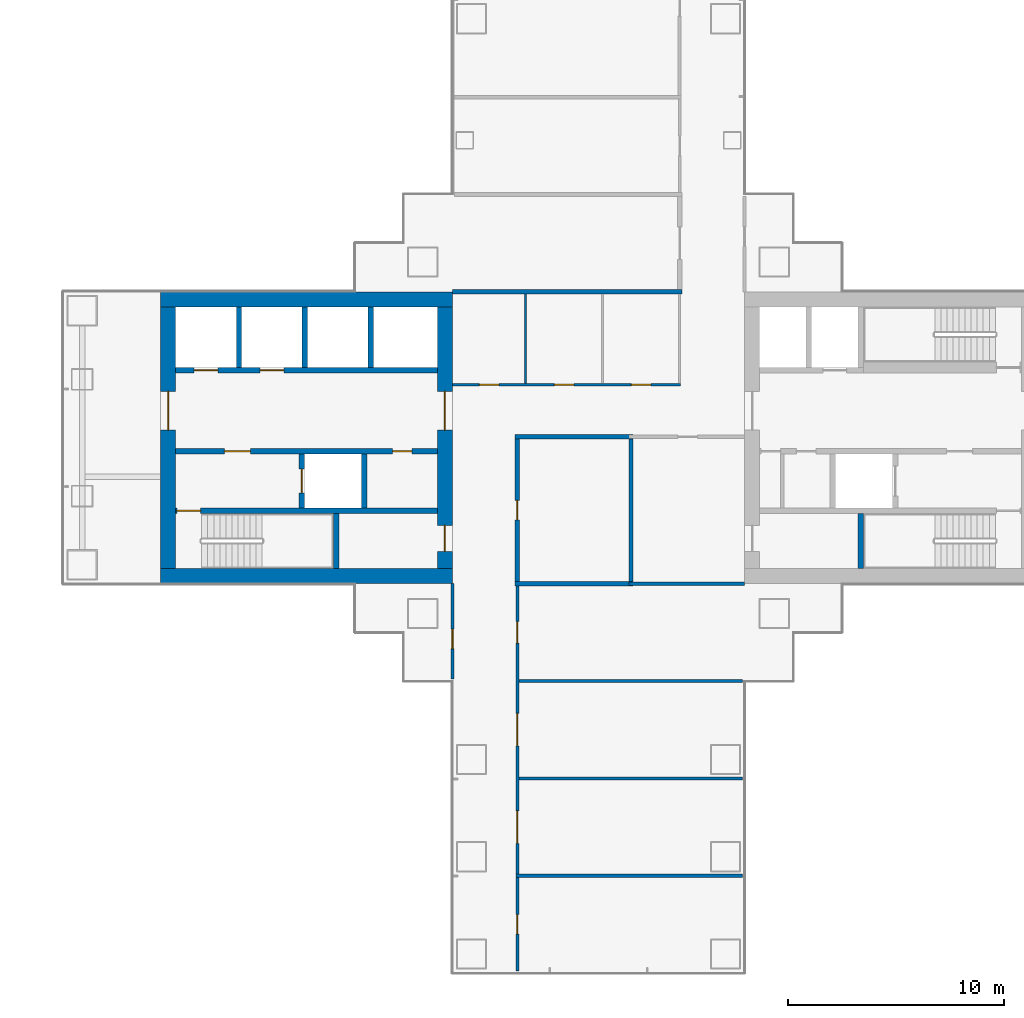
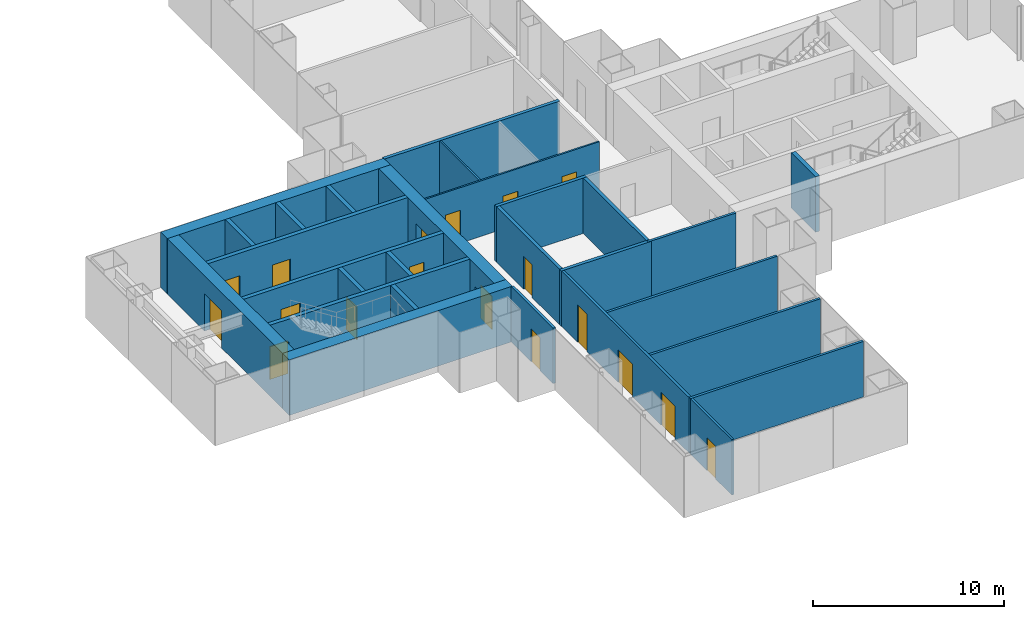
# One storey, part 16 of 21: 28 walls, 18 doors, 18 openings.
"""IFC4 building model written with IfcOpenShell, lengths in metres."""

from ifc_helpers import new_model, si_unit, direction, frame, frame_2d, origin, place, context, subcontext, project, spatial, rectangle, extrude, material, layer, layer_set, type_object, element, fill, save


model = new_model("IFC4")

# Units and contexts
model_context = context("Model", 3, precision=1e-05, world=origin(), true_north=direction((0.0, 1.0)))
body_context = subcontext(model_context, "Body", "Model", "MODEL_VIEW")
ifc_project = project(units=[si_unit("LENGTHUNIT", "METRE"), si_unit("AREAUNIT", "SQUARE_METRE"), si_unit("VOLUMEUNIT", "CUBIC_METRE"), si_unit("PLANEANGLEUNIT", "RADIAN"), si_unit("MASSUNIT", "GRAM", prefix="KILO")], contexts=[model_context])

# Site, building, storey
site_placement = place(None, origin())
site = spatial("IfcSite", under=ifc_project, at=site_placement, CompositionType="ELEMENT")
building_placement = place(site_placement, origin())
building = spatial("IfcBuilding", under=site, at=building_placement, Name="Shamsa Quay Exchange Towers", CompositionType="ELEMENT")
storey_placement = place(building_placement, frame((0.0, 0.0, 42.0)))
storey = spatial("IfcBuildingStorey", under=building, at=storey_placement, Name="L08", CompositionType="ELEMENT", Elevation=42.0)

# Walls
ifc_material_1 = material(Name="Concrete C80/95", Category="concrete")
ifc_layer_1 = layer(ifc_material_1, 0.699951171875)
ifc_layer_set_1 = layer_set([ifc_layer_1], Name="CORE WALL 700 C80/95")
wall_type_1 = type_object("IfcWallType", Name="CORE WALL 700 C80/95", PredefinedType="SHEAR", material=ifc_layer_set_1)
for number, where, name in (
    (1, (13.5, -6.39990234375, 0.0), "Core wall T2A-R03-PS"),
    (2, (13.5, 6.39990234375, 0.0), "Core wall T2A-R03-PN"),
):
    element("IfcWall", number, at=place(storey_placement, frame(where)), inside=storey, type_object=wall_type_1, Name=name, PredefinedType="SHEAR", context=body_context, shape_type="SweptSolid", body=[
        extrude(rectangle(XDim=13.5, YDim=0.699951171875, at=frame_2d((6.75, 0.0))), origin(), (0.0, 0.0, 1.0), 3.550048828125),
    ])

# Wall, opening, door
wall_1_placement = place(storey_placement, frame((13.85009765625, 6.050048828125, 0.0), z_axis=(0.0, 0.0, 1.0), x_axis=(0.0, -1.0, 0.0)))
wall_1 = element("IfcWall", 3, at=wall_1_placement, inside=storey, type_object=wall_type_1, Name="Core wall T2A-R03-PF", PredefinedType="SHEAR", context=body_context, shape_type="SweptSolid", body=[
    extrude(rectangle(XDim=12.10009765625, YDim=0.699951171875, at=frame_2d((6.050048828125, 0.0))), origin(), (0.0, 0.0, 1.0), 3.550048828125),
])
opening_1_placement = place(wall_1_placement, frame((3.89990234375, 0.0, 0.0)))
opening_1 = element("IfcOpeningElement", 4, at=opening_1_placement, cuts=wall_1, Name="Opening T2A-R03-LBD01", PredefinedType="OPENING", context=body_context, shape_type="SweptSolid", body=[
    extrude(rectangle(XDim=1.800048828125, YDim=2.39990234375, at=frame_2d((0.89990234375, 1.199951171875))), frame((0.0, 0.35986328125, 0.0), z_axis=(0.0, -1.0, 0.0), x_axis=(1.0, 0.0, 0.0)), (0.0, 0.0, 1.0), 0.719970703125),
])
ifc_material_2 = material(Name="Steel, fire rated", Category="steel")
door_type_1 = type_object("IfcDoorType", Name="LIFT LOBBY DOOR PAIR 1800", OperationType="DOUBLE_DOOR_SINGLE_SWING", PredefinedType="DOOR", material=ifc_material_2)
door_1_placement = place(opening_1_placement, origin())
door_1 = element("IfcDoor", 5, at=door_1_placement, inside=storey, type_object=door_type_1, Name="T2A-R03-LBD01", OperationType="DOUBLE_DOOR_SINGLE_SWING", OverallHeight=2.39990234375, OverallWidth=1.800048828125, PredefinedType="DOOR", context=body_context, shape_type="SweptSolid", body=[
    extrude(rectangle(XDim=1.800048828125, YDim=2.39990234375, at=frame_2d((0.89990234375, 1.199951171875))), frame((0.0, 0.02490234375, 0.0), z_axis=(0.0, -1.0, 0.0), x_axis=(1.0, 0.0, 0.0)), (0.0, 0.0, 1.0), 0.050048828125),
])
fill(opening_1, door_1)

# Wall, openings, doors
wall_2_placement = place(storey_placement, frame((26.64990234375, 6.050048828125, 0.0), z_axis=(0.0, 0.0, 1.0), x_axis=(0.0, -1.0, 0.0)))
wall_2 = element("IfcWall", 6, at=wall_2_placement, inside=storey, type_object=wall_type_1, Name="Core wall T2A-R03-PB", PredefinedType="SHEAR", context=body_context, shape_type="SweptSolid", body=[
    extrude(rectangle(XDim=12.10009765625, YDim=0.699951171875, at=frame_2d((6.050048828125, 0.0))), origin(), (0.0, 0.0, 1.0), 3.550048828125),
])
opening_2_placement = place(wall_2_placement, frame((10.10009765625, 0.0, 0.0)))
opening_2 = element("IfcOpeningElement", 7, at=opening_2_placement, cuts=wall_2, Name="Opening T2A-R03-RD02", PredefinedType="OPENING", context=body_context, shape_type="SweptSolid", body=[
    extrude(rectangle(XDim=1.199951171875, YDim=2.10009765625, at=frame_2d((0.60009765625, 1.050048828125))), frame((0.0, 0.35986328125, 0.0), z_axis=(0.0, -1.0, 0.0), x_axis=(1.0, 0.0, 0.0)), (0.0, 0.0, 1.0), 0.719970703125),
])
opening_3_placement = place(wall_2_placement, frame((3.89990234375, 0.0, 0.0)))
opening_3 = element("IfcOpeningElement", 8, at=opening_3_placement, cuts=wall_2, Name="Opening T2A-R03-LBD03", PredefinedType="OPENING", context=body_context, shape_type="SweptSolid", body=[
    extrude(rectangle(XDim=1.800048828125, YDim=2.39990234375, at=frame_2d((0.89990234375, 1.199951171875))), frame((0.0, 0.35986328125, 0.0), z_axis=(0.0, -1.0, 0.0), x_axis=(1.0, 0.0, 0.0)), (0.0, 0.0, 1.0), 0.719970703125),
])
door_2_placement = place(opening_3_placement, origin())
door_2 = element("IfcDoor", 9, at=door_2_placement, inside=storey, type_object=door_type_1, Name="T2A-R03-LBD03", OperationType="DOUBLE_DOOR_SINGLE_SWING", OverallHeight=2.39990234375, OverallWidth=1.800048828125, PredefinedType="DOOR", context=body_context, shape_type="SweptSolid", body=[
    extrude(rectangle(XDim=1.800048828125, YDim=2.39990234375, at=frame_2d((0.89990234375, 1.199951171875))), frame((0.0, 0.02490234375, 0.0), z_axis=(0.0, -1.0, 0.0), x_axis=(1.0, 0.0, 0.0)), (0.0, 0.0, 1.0), 0.050048828125),
])
fill(opening_3, door_2)
door_type_2 = type_object("IfcDoorType", Name="RISER ACCESS DOOR 1200", OperationType="SINGLE_SWING_LEFT", PredefinedType="DOOR", material=ifc_material_2)
door_3_placement = place(opening_2_placement, origin())
door_3 = element("IfcDoor", 10, at=door_3_placement, inside=storey, type_object=door_type_2, Name="T2A-R03-RD02", OperationType="SINGLE_SWING_RIGHT", OverallHeight=2.10009765625, OverallWidth=1.199951171875, PredefinedType="DOOR", context=body_context, shape_type="SweptSolid", body=[
    extrude(rectangle(XDim=1.199951171875, YDim=2.10009765625, at=frame_2d((0.60009765625, 1.050048828125))), frame((0.0, 0.02490234375, 0.0), z_axis=(0.0, -1.0, 0.0), x_axis=(1.0, 0.0, 0.0)), (0.0, 0.0, 1.0), 0.050048828125),
])
fill(opening_2, door_3)

# Wall, opening, door
ifc_material_3 = material(Name="Laminated fire-resisting glass in a metal frame", Category="glass")
ifc_layer_2 = layer(ifc_material_3, 0.125)
ifc_layer_set_2 = layer_set([ifc_layer_2], Name="Glazed partition 125 mm EI 60")
wall_type_2 = type_object("IfcWallType", Name="Glazed partition 125 mm EI 60", PredefinedType="PARTITIONING", material=ifc_layer_set_2)
wall_3_placement = place(storey_placement, frame((30.0, -20.324951171875, 0.0), z_axis=(0.0, 0.0, 1.0), x_axis=(0.0, -1.0, 0.0)))
wall_3 = element("IfcWall", 11, at=wall_3_placement, inside=storey, type_object=wall_type_2, Name="Partition T2-R03-W08", PredefinedType="PARTITIONING", context=body_context, shape_type="SweptSolid", body=[
    extrude(rectangle(XDim=4.330078125, YDim=0.125, at=frame_2d((2.1650390625, 0.0))), origin(), (0.0, 0.0, 1.0), 3.550048828125),
])
opening_4_placement = place(wall_3_placement, frame((1.72509765625, 0.0, 0.0)))
opening_4 = element("IfcOpeningElement", 12, at=opening_4_placement, cuts=wall_3, Name="Opening T2-R03-D10", PredefinedType="OPENING", context=body_context, shape_type="SweptSolid", body=[
    extrude(rectangle(XDim=0.89990234375, YDim=2.10009765625, at=frame_2d((0.449951171875, 1.050048828125))), frame((0.0, 0.072509765625, 0.0), z_axis=(0.0, -1.0, 0.0), x_axis=(1.0, 0.0, 0.0)), (0.0, 0.0, 1.0), 0.14501953125),
])
ifc_material_4 = material(Name="Timber door leaf in a metal frame", Category="wood")
door_type_3 = type_object("IfcDoorType", Name="Door 900x2100 FD30S", OperationType="NOTDEFINED", PredefinedType="DOOR", material=ifc_material_4)
door_4_placement = place(opening_4_placement, origin())
door_4 = element("IfcDoor", 13, at=door_4_placement, inside=storey, type_object=door_type_3, Name="Door T2-R03-D10", OperationType="SINGLE_SWING_RIGHT", OverallHeight=2.10009765625, OverallWidth=0.89990234375, PredefinedType="DOOR", context=body_context, shape_type="SweptSolid", body=[
    extrude(rectangle(XDim=0.89990234375, YDim=2.10009765625, at=frame_2d((0.449951171875, 1.050048828125))), frame((0.0, 0.02490234375, 0.0), z_axis=(0.0, -1.0, 0.0), x_axis=(1.0, 0.0, 0.0)), (0.0, 0.0, 1.0), 0.050048828125),
])
fill(opening_4, door_4)

# Wall, openings, doors
ifc_material_5 = material(Name="Gypsum board partition on metal studs")
ifc_layer_3 = layer(ifc_material_5, 0.10009765625)
ifc_layer_set_3 = layer_set([ifc_layer_3], Name="Partition 100 mm NOT RATED")
wall_type_3 = type_object("IfcWallType", Name="Partition 100 mm NOT RATED", PredefinedType="PARTITIONING", material=ifc_layer_set_3)
wall_4_placement = place(storey_placement, frame((27.0, 2.4501953125, 0.0)))
wall_4 = element("IfcWall", 14, at=wall_4_placement, inside=storey, type_object=wall_type_3, Name="Partition T2-R03-W06", PredefinedType="PARTITIONING", context=body_context, shape_type="SweptSolid", body=[
    extrude(rectangle(XDim=10.550048828125, YDim=0.10009765625, at=frame_2d((5.27490234375, 0.0))), origin(), (0.0, 0.0, 1.0), 3.550048828125),
])
opening_5_placement = place(wall_4_placement, frame((8.268798828125, 0.0, 0.0)))
opening_5 = element("IfcOpeningElement", 15, at=opening_5_placement, cuts=wall_4, Name="Opening T2-R03-D02", PredefinedType="OPENING", context=body_context, shape_type="SweptSolid", body=[
    extrude(rectangle(XDim=0.89990234375, YDim=2.10009765625, at=frame_2d((0.449951171875, 1.050048828125))), frame((0.0, 0.06005859375, 0.0), z_axis=(0.0, -1.0, 0.0), x_axis=(1.0, 0.0, 0.0)), (0.0, 0.0, 1.0), 0.1201171875),
])
opening_6_placement = place(wall_4_placement, frame((4.706298828125, 0.0, 0.0)))
opening_6 = element("IfcOpeningElement", 16, at=opening_6_placement, cuts=wall_4, Name="Opening T2-R03-D03", PredefinedType="OPENING", context=body_context, shape_type="SweptSolid", body=[
    extrude(rectangle(XDim=0.89990234375, YDim=2.10009765625, at=frame_2d((0.449951171875, 1.050048828125))), frame((0.0, 0.06005859375, 0.0), z_axis=(0.0, -1.0, 0.0), x_axis=(1.0, 0.0, 0.0)), (0.0, 0.0, 1.0), 0.1201171875),
])
opening_7_placement = place(wall_4_placement, frame((1.237548828125, 0.0, 0.0)))
opening_7 = element("IfcOpeningElement", 17, at=opening_7_placement, cuts=wall_4, Name="Opening T2-R03-D04", PredefinedType="OPENING", context=body_context, shape_type="SweptSolid", body=[
    extrude(rectangle(XDim=0.89990234375, YDim=2.10009765625, at=frame_2d((0.449951171875, 1.050048828125))), frame((0.0, 0.06005859375, 0.0), z_axis=(0.0, -1.0, 0.0), x_axis=(1.0, 0.0, 0.0)), (0.0, 0.0, 1.0), 0.1201171875),
])
door_type_4 = type_object("IfcDoorType", Name="Door 900x2100 NOT RATED", OperationType="NOTDEFINED", PredefinedType="DOOR", material=ifc_material_4)
door_5_placement = place(opening_5_placement, origin())
door_5 = element("IfcDoor", 18, at=door_5_placement, inside=storey, type_object=door_type_4, Name="Door T2-R03-D02", OperationType="SINGLE_SWING_LEFT", OverallHeight=2.10009765625, OverallWidth=0.89990234375, PredefinedType="DOOR", context=body_context, shape_type="SweptSolid", body=[
    extrude(rectangle(XDim=0.89990234375, YDim=2.10009765625, at=frame_2d((0.449951171875, 1.050048828125))), frame((0.0, 0.02490234375, 0.0), z_axis=(0.0, -1.0, 0.0), x_axis=(1.0, 0.0, 0.0)), (0.0, 0.0, 1.0), 0.050048828125),
])
fill(opening_5, door_5)
door_6_placement = place(opening_6_placement, origin())
door_6 = element("IfcDoor", 19, at=door_6_placement, inside=storey, type_object=door_type_4, Name="Door T2-R03-D03", OperationType="SINGLE_SWING_RIGHT", OverallHeight=2.10009765625, OverallWidth=0.89990234375, PredefinedType="DOOR", context=body_context, shape_type="SweptSolid", body=[
    extrude(rectangle(XDim=0.89990234375, YDim=2.10009765625, at=frame_2d((0.449951171875, 1.050048828125))), frame((0.0, 0.02490234375, 0.0), z_axis=(0.0, -1.0, 0.0), x_axis=(1.0, 0.0, 0.0)), (0.0, 0.0, 1.0), 0.050048828125),
])
fill(opening_6, door_6)
door_7_placement = place(opening_7_placement, origin())
door_7 = element("IfcDoor", 20, at=door_7_placement, inside=storey, type_object=door_type_4, Name="Door T2-R03-D04", OperationType="SINGLE_SWING_RIGHT", OverallHeight=2.10009765625, OverallWidth=0.89990234375, PredefinedType="DOOR", context=body_context, shape_type="SweptSolid", body=[
    extrude(rectangle(XDim=0.89990234375, YDim=2.10009765625, at=frame_2d((0.449951171875, 1.050048828125))), frame((0.0, 0.02490234375, 0.0), z_axis=(0.0, -1.0, 0.0), x_axis=(1.0, 0.0, 0.0)), (0.0, 0.0, 1.0), 0.050048828125),
])
fill(opening_7, door_7)

# Wall
wall_5_placement = place(storey_placement, frame((30.375, 6.64990234375, 0.0), z_axis=(0.0, 0.0, 1.0), x_axis=(0.0, -1.0, 0.0)))
element("IfcWall", 21, at=wall_5_placement, inside=storey, type_object=wall_type_3, Name="Partition T2-R03-W19", PredefinedType="PARTITIONING", context=body_context, shape_type="SweptSolid", body=[
    extrude(rectangle(XDim=4.149658203125, YDim=0.10009765625, at=frame_2d((2.07470703125, 0.0))), origin(), (0.0, 0.0, 1.0), 3.550048828125),
])

# Wall, openings, doors
ifc_layer_4 = layer(ifc_material_5, 0.14990234375)
ifc_layer_set_4 = layer_set([ifc_layer_4], Name="Partition 150 mm EI 60")
wall_type_4 = type_object("IfcWallType", Name="Partition 150 mm EI 60", PredefinedType="PARTITIONING", material=ifc_layer_set_4)
wall_6_placement = place(storey_placement, frame((30.0, -6.85009765625, 0.0), z_axis=(0.0, 0.0, 1.0), x_axis=(0.0, -1.0, 0.0)))
wall_6 = element("IfcWall", 22, at=wall_6_placement, inside=storey, type_object=wall_type_4, Name="Partition T2-R03-W07", PredefinedType="PARTITIONING", context=body_context, shape_type="SweptSolid", body=[
    extrude(rectangle(XDim=13.324951171875, YDim=0.14990234375, at=frame_2d((6.66259765625, 0.0))), origin(), (0.0, 0.0, 1.0), 3.550048828125),
])
opening_8_placement = place(wall_6_placement, frame((10.39990234375, 0.0, 0.0)))
opening_8 = element("IfcOpeningElement", 23, at=opening_8_placement, cuts=wall_6, Name="Opening T2-R03-D11", PredefinedType="OPENING", context=body_context, shape_type="SweptSolid", body=[
    extrude(rectangle(XDim=1.5, YDim=2.10009765625, at=frame_2d((0.75, 1.050048828125))), frame((0.0, 0.0849609375, 0.0), z_axis=(0.0, -1.0, 0.0), x_axis=(1.0, 0.0, 0.0)), (0.0, 0.0, 1.0), 0.169921875),
])
opening_9_placement = place(wall_6_placement, frame((5.89990234375, 0.0, 0.0)))
opening_9 = element("IfcOpeningElement", 24, at=opening_9_placement, cuts=wall_6, Name="Opening T2-R03-D12", PredefinedType="OPENING", context=body_context, shape_type="SweptSolid", body=[
    extrude(rectangle(XDim=1.5, YDim=2.10009765625, at=frame_2d((0.75, 1.050048828125))), frame((0.0, 0.0849609375, 0.0), z_axis=(0.0, -1.0, 0.0), x_axis=(1.0, 0.0, 0.0)), (0.0, 0.0, 1.0), 0.169921875),
])
opening_10_placement = place(wall_6_placement, frame((1.64990234375, 0.0, 0.0)))
opening_10 = element("IfcOpeningElement", 25, at=opening_10_placement, cuts=wall_6, Name="Opening T2-R03-D13", PredefinedType="OPENING", context=body_context, shape_type="SweptSolid", body=[
    extrude(rectangle(XDim=1.0, YDim=2.39990234375, at=frame_2d((0.5, 1.199951171875))), frame((0.0, 0.0849609375, 0.0), z_axis=(0.0, -1.0, 0.0), x_axis=(1.0, 0.0, 0.0)), (0.0, 0.0, 1.0), 0.169921875),
])
door_type_5 = type_object("IfcDoorType", Name="Door 1000x2400 FD30S", OperationType="NOTDEFINED", PredefinedType="DOOR", material=ifc_material_4)
door_8_placement = place(opening_10_placement, origin())
door_8 = element("IfcDoor", 26, at=door_8_placement, inside=storey, type_object=door_type_5, Name="Door T2-R03-D13", OperationType="SINGLE_SWING_RIGHT", OverallHeight=2.39990234375, OverallWidth=1.0, PredefinedType="DOOR", context=body_context, shape_type="SweptSolid", body=[
    extrude(rectangle(XDim=1.0, YDim=2.39990234375, at=frame_2d((0.5, 1.199951171875))), frame((0.0, 0.02490234375, 0.0), z_axis=(0.0, -1.0, 0.0), x_axis=(1.0, 0.0, 0.0)), (0.0, 0.0, 1.0), 0.050048828125),
])
fill(opening_10, door_8)
door_type_6 = type_object("IfcDoorType", Name="Door 1500x2100 FD30S pair", OperationType="NOTDEFINED", PredefinedType="DOOR", material=ifc_material_4)
door_9_placement = place(opening_8_placement, origin())
door_9 = element("IfcDoor", 27, at=door_9_placement, inside=storey, type_object=door_type_6, Name="Door T2-R03-D11", OperationType="DOUBLE_DOOR_SINGLE_SWING", OverallHeight=2.10009765625, OverallWidth=1.5, PredefinedType="DOOR", context=body_context, shape_type="SweptSolid", body=[
    extrude(rectangle(XDim=1.5, YDim=2.10009765625, at=frame_2d((0.75, 1.050048828125))), frame((0.0, 0.02490234375, 0.0), z_axis=(0.0, -1.0, 0.0), x_axis=(1.0, 0.0, 0.0)), (0.0, 0.0, 1.0), 0.050048828125),
])
fill(opening_8, door_9)
door_10_placement = place(opening_9_placement, origin())
door_10 = element("IfcDoor", 28, at=door_10_placement, inside=storey, type_object=door_type_6, Name="Door T2-R03-D12", OperationType="DOUBLE_DOOR_SINGLE_SWING", OverallHeight=2.10009765625, OverallWidth=1.5, PredefinedType="DOOR", context=body_context, shape_type="SweptSolid", body=[
    extrude(rectangle(XDim=1.5, YDim=2.10009765625, at=frame_2d((0.75, 1.050048828125))), frame((0.0, 0.02490234375, 0.0), z_axis=(0.0, -1.0, 0.0), x_axis=(1.0, 0.0, 0.0)), (0.0, 0.0, 1.0), 0.050048828125),
])
fill(opening_9, door_10)

# Wall, opening, door
wall_7_placement = place(storey_placement, frame((27.0, -11.155029296875, 0.0), z_axis=(0.0, 0.0, 1.0), x_axis=(0.0, 1.0, 0.0)))
wall_7 = element("IfcWall", 29, at=wall_7_placement, inside=storey, type_object=wall_type_4, Name="Partition T2-R03-W13", PredefinedType="PARTITIONING", context=body_context, shape_type="SweptSolid", body=[
    extrude(rectangle(XDim=4.405029296875, YDim=0.14990234375, at=frame_2d((2.20263671875, 0.0))), origin(), (0.0, 0.0, 1.0), 3.550048828125),
])
opening_11_placement = place(wall_7_placement, frame((1.405029296875, 0.0, 0.0)))
opening_11 = element("IfcOpeningElement", 30, at=opening_11_placement, cuts=wall_7, Name="Opening T2-R03-D15", PredefinedType="OPENING", context=body_context, shape_type="SweptSolid", body=[
    extrude(rectangle(XDim=0.89990234375, YDim=2.10009765625, at=frame_2d((0.449951171875, 1.050048828125))), frame((0.0, 0.0849609375, 0.0), z_axis=(0.0, -1.0, 0.0), x_axis=(1.0, 0.0, 0.0)), (0.0, 0.0, 1.0), 0.169921875),
])
door_11_placement = place(opening_11_placement, origin())
door_11 = element("IfcDoor", 31, at=door_11_placement, inside=storey, type_object=door_type_3, Name="Door T2-R03-D15", OperationType="SINGLE_SWING_LEFT", OverallHeight=2.10009765625, OverallWidth=0.89990234375, PredefinedType="DOOR", context=body_context, shape_type="SweptSolid", body=[
    extrude(rectangle(XDim=0.89990234375, YDim=2.10009765625, at=frame_2d((0.449951171875, 1.050048828125))), frame((0.0, 0.02490234375, 0.0), z_axis=(0.0, -1.0, 0.0), x_axis=(1.0, 0.0, 0.0)), (0.0, 0.0, 1.0), 0.050048828125),
])
fill(opening_11, door_11)

# Walls
wall_8_placement = place(storey_placement, frame((30.074951171875, -11.25, 0.0)))
element("IfcWall", 32, at=wall_8_placement, inside=storey, type_object=wall_type_4, Name="Partition T2-R03-W20", PredefinedType="PARTITIONING", context=body_context, shape_type="SweptSolid", body=[
    extrude(rectangle(XDim=10.330078125, YDim=0.14990234375, at=frame_2d((5.1650390625, 0.0))), origin(), (0.0, 0.0, 1.0), 3.550048828125),
])
wall_9_placement = place(storey_placement, frame((40.5, -6.75, 0.0), z_axis=(0.0, 0.0, 1.0), x_axis=(-1.0, 0.0, 0.0)))
element("IfcWall", 33, at=wall_9_placement, inside=storey, type_object=wall_type_4, Name="Partition T2-R03-W21", PredefinedType="PARTITIONING", context=body_context, shape_type="SweptSolid", body=[
    extrude(rectangle(XDim=5.35009765625, YDim=0.14990234375, at=frame_2d((2.675048828125, 0.0))), origin(), (0.0, 0.0, 1.0), 3.550048828125),
])
wall_10_placement = place(storey_placement, frame((30.074951171875, -15.75, 0.0)))
element("IfcWall", 34, at=wall_10_placement, inside=storey, type_object=wall_type_4, Name="Partition T2-R03-W23", PredefinedType="PARTITIONING", context=body_context, shape_type="SweptSolid", body=[
    extrude(rectangle(XDim=10.330078125, YDim=0.14990234375, at=frame_2d((5.1650390625, 0.0))), origin(), (0.0, 0.0, 1.0), 3.550048828125),
])
wall_11_placement = place(storey_placement, frame((29.925048828125, -20.25, 0.0)))
element("IfcWall", 35, at=wall_11_placement, inside=storey, type_object=wall_type_4, Name="Partition T2-R03-W24", PredefinedType="PARTITIONING", context=body_context, shape_type="SweptSolid", body=[
    extrude(rectangle(XDim=10.47998046875, YDim=0.14990234375, at=frame_2d((5.239990234375, 0.0))), origin(), (0.0, 0.0, 1.0), 3.550048828125),
])

# Wall, opening, door
ifc_layer_5 = layer(ifc_material_5, 0.199951171875)
ifc_layer_set_5 = layer_set([ifc_layer_5], Name="Partition 200 mm EI 120")
wall_type_5 = type_object("IfcWallType", Name="Partition 200 mm EI 120", PredefinedType="PARTITIONING", material=ifc_layer_set_5)
wall_12_placement = place(storey_placement, frame((30.0, -0.05029296875, 0.0), z_axis=(0.0, 0.0, 1.0), x_axis=(0.0, -1.0, 0.0)))
wall_12 = element("IfcWall", 36, at=wall_12_placement, inside=storey, type_object=wall_type_5, Name="Partition T2-R03-W10", PredefinedType="PARTITIONING", context=body_context, shape_type="SweptSolid", body=[
    extrude(rectangle(XDim=6.599609375, YDim=0.199951171875, at=frame_2d((3.2998046875, 0.0))), origin(), (0.0, 0.0, 1.0), 3.550048828125),
])
opening_12_placement = place(wall_12_placement, frame((2.849853515625, 0.0, 0.0)))
opening_12 = element("IfcOpeningElement", 37, at=opening_12_placement, cuts=wall_12, Name="Opening T2-R03-D14", PredefinedType="OPENING", context=body_context, shape_type="SweptSolid", body=[
    extrude(rectangle(XDim=0.89990234375, YDim=2.10009765625, at=frame_2d((0.449951171875, 1.050048828125))), frame((0.0, 0.10986328125, 0.0), z_axis=(0.0, -1.0, 0.0), x_axis=(1.0, 0.0, 0.0)), (0.0, 0.0, 1.0), 0.219970703125),
])
door_type_7 = type_object("IfcDoorType", Name="Door 900x2100 FD60", OperationType="NOTDEFINED", PredefinedType="DOOR", material=ifc_material_4)
door_12_placement = place(opening_12_placement, origin())
door_12 = element("IfcDoor", 38, at=door_12_placement, inside=storey, type_object=door_type_7, Name="Door T2-R03-D14", OperationType="SINGLE_SWING_LEFT", OverallHeight=2.10009765625, OverallWidth=0.89990234375, PredefinedType="DOOR", context=body_context, shape_type="SweptSolid", body=[
    extrude(rectangle(XDim=0.89990234375, YDim=2.10009765625, at=frame_2d((0.449951171875, 1.050048828125))), frame((0.0, 0.02490234375, 0.0), z_axis=(0.0, -1.0, 0.0), x_axis=(1.0, 0.0, 0.0)), (0.0, 0.0, 1.0), 0.050048828125),
])
fill(opening_12, door_12)

# Walls
for number, where, z_axis, x_axis, name in (
    (39, (35.35009765625, 0.0498046875, 0.0), (0.0, 0.0, 1.0), (-1.0, 0.0, 0.0), "Partition T2-R03-W11"),
    (40, (35.35009765625, -6.75, 0.0), (0.0, 0.0, 1.0), (-1.0, 0.0, 0.0), "Partition T2-R03-W22"),
):
    element("IfcWall", number, at=place(storey_placement, frame(where, z_axis=z_axis, x_axis=x_axis)), inside=storey, type_object=wall_type_5, Name=name, PredefinedType="PARTITIONING", context=body_context, shape_type="SweptSolid", body=[
        extrude(rectangle(XDim=5.4501953125, YDim=0.199951171875, at=frame_2d((2.72509765625, 0.0))), origin(), (0.0, 0.0, 1.0), 3.550048828125),
    ])
wall_13_placement = place(storey_placement, frame((35.25, -0.05029296875, 0.0), z_axis=(0.0, 0.0, 1.0), x_axis=(0.0, -1.0, 0.0)))
element("IfcWall", 41, at=wall_13_placement, inside=storey, type_object=wall_type_5, Name="Partition T2-R03-W25", PredefinedType="PARTITIONING", context=body_context, shape_type="SweptSolid", body=[
    extrude(rectangle(XDim=6.599609375, YDim=0.199951171875, at=frame_2d((3.2998046875, 0.0))), origin(), (0.0, 0.0, 1.0), 3.550048828125),
])
ifc_layer_6 = layer(ifc_material_5, 0.199951171875)
ifc_layer_set_6 = layer_set([ifc_layer_6], Name="Partition 200 mm EI 90")
wall_type_6 = type_object("IfcWallType", Name="Partition 200 mm EI 90", PredefinedType="PARTITIONING", material=ifc_layer_set_6)
wall_14_placement = place(storey_placement, frame((27.0, 6.75, 0.0)))
element("IfcWall", 42, at=wall_14_placement, inside=storey, type_object=wall_type_6, Name="Partition T2-R03-W15", PredefinedType="PARTITIONING", context=body_context, shape_type="SweptSolid", body=[
    extrude(rectangle(XDim=10.60009765625, YDim=0.199951171875, at=frame_2d((5.300048828125, 0.0))), origin(), (0.0, 0.0, 1.0), 3.550048828125),
])

# Wall, opening, door
ifc_material_6 = material(Name="Concrete C50/60", Category="concrete")
ifc_layer_7 = layer(ifc_material_6, 0.25)
ifc_layer_set_7 = layer_set([ifc_layer_7], Name="SHAFT WALL 250 C50/60")
wall_type_7 = type_object("IfcWallType", Name="SHAFT WALL 250 C50/60", PredefinedType="SHEAR", material=ifc_layer_set_7)
wall_15_placement = place(storey_placement, frame((26.300048828125, -3.375, 0.0), z_axis=(0.0, 0.0, 1.0), x_axis=(-1.0, 0.0, 0.0)))
wall_15 = element("IfcWall", 43, at=wall_15_placement, inside=storey, type_object=wall_type_7, Name="Shaft wall T2A-R03-STL", PredefinedType="SHEAR", context=body_context, shape_type="SweptSolid", body=[
    extrude(rectangle(XDim=12.10009765625, YDim=0.25, at=frame_2d((6.050048828125, 0.0))), origin(), (0.0, 0.0, 1.0), 3.550048828125),
])
opening_13_placement = place(wall_15_placement, frame((10.949951171875, 0.0, 0.0)))
opening_13 = element("IfcOpeningElement", 44, at=opening_13_placement, cuts=wall_15, Name="Opening T2A-R03-SD04", PredefinedType="OPENING", context=body_context, shape_type="SweptSolid", body=[
    extrude(rectangle(XDim=1.10009765625, YDim=2.10009765625, at=frame_2d((0.550048828125, 1.050048828125))), frame((0.0, 0.135009765625, 0.0), z_axis=(0.0, -1.0, 0.0), x_axis=(1.0, 0.0, 0.0)), (0.0, 0.0, 1.0), 0.27001953125),
])
door_type_8 = type_object("IfcDoorType", Name="STAIR DOOR 1100", OperationType="SINGLE_SWING_LEFT", PredefinedType="DOOR", material=ifc_material_2)
door_13_placement = place(opening_13_placement, origin())
door_13 = element("IfcDoor", 45, at=door_13_placement, inside=storey, type_object=door_type_8, Name="T2A-R03-SD04", OperationType="SINGLE_SWING_RIGHT", OverallHeight=2.10009765625, OverallWidth=1.10009765625, PredefinedType="DOOR", context=body_context, shape_type="SweptSolid", body=[
    extrude(rectangle(XDim=1.10009765625, YDim=2.10009765625, at=frame_2d((0.550048828125, 1.050048828125))), frame((0.0, 0.02490234375, 0.0), z_axis=(0.0, -1.0, 0.0), x_axis=(1.0, 0.0, 0.0)), (0.0, 0.0, 1.0), 0.050048828125),
])
fill(opening_13, door_13)

# Wall
wall_16_placement = place(storey_placement, frame((21.625, -6.050048828125, 0.0), z_axis=(0.0, 0.0, 1.0), x_axis=(0.0, 1.0, 0.0)))
element("IfcWall", 46, at=wall_16_placement, inside=storey, type_object=wall_type_7, Name="Shaft wall T2A-R03-STF", PredefinedType="SHEAR", context=body_context, shape_type="SweptSolid", body=[
    extrude(rectangle(XDim=2.550048828125, YDim=0.25, at=frame_2d((1.27490234375, 0.0))), origin(), (0.0, 0.0, 1.0), 3.550048828125),
])

# Wall, openings, doors
wall_17_placement = place(storey_placement, frame((26.300048828125, -0.625, 0.0), z_axis=(0.0, 0.0, 1.0), x_axis=(-1.0, 0.0, 0.0)))
wall_17 = element("IfcWall", 47, at=wall_17_placement, inside=storey, type_object=wall_type_7, Name="Shaft wall T2A-R03-B", PredefinedType="SHEAR", context=body_context, shape_type="SweptSolid", body=[
    extrude(rectangle(XDim=12.10009765625, YDim=0.25, at=frame_2d((6.050048828125, 0.0))), origin(), (0.0, 0.0, 1.0), 3.550048828125),
])
opening_14_placement = place(wall_17_placement, frame((8.64990234375, 0.0, 0.0)))
opening_14 = element("IfcOpeningElement", 48, at=opening_14_placement, cuts=wall_17, Name="Opening T2A-R03-FD05", PredefinedType="OPENING", context=body_context, shape_type="SweptSolid", body=[
    extrude(rectangle(XDim=1.199951171875, YDim=2.10009765625, at=frame_2d((0.60009765625, 1.050048828125))), frame((0.0, 0.135009765625, 0.0), z_axis=(0.0, -1.0, 0.0), x_axis=(1.0, 0.0, 0.0)), (0.0, 0.0, 1.0), 0.27001953125),
])
opening_15_placement = place(wall_17_placement, frame((1.175048828125, 0.0, 0.0)))
opening_15 = element("IfcOpeningElement", 49, at=opening_15_placement, cuts=wall_17, Name="Opening T2A-R03-SV06", PredefinedType="OPENING", context=body_context, shape_type="SweptSolid", body=[
    extrude(rectangle(XDim=0.89990234375, YDim=2.10009765625, at=frame_2d((0.449951171875, 1.050048828125))), frame((0.0, 0.135009765625, 0.0), z_axis=(0.0, -1.0, 0.0), x_axis=(1.0, 0.0, 0.0)), (0.0, 0.0, 1.0), 0.27001953125),
])
door_type_9 = type_object("IfcDoorType", Name="FIRE SERVICE LOBBY DOOR 1200", OperationType="SINGLE_SWING_LEFT", PredefinedType="DOOR", material=ifc_material_2)
door_14_placement = place(opening_14_placement, origin())
door_14 = element("IfcDoor", 50, at=door_14_placement, inside=storey, type_object=door_type_9, Name="T2A-R03-FD05", OperationType="SINGLE_SWING_RIGHT", OverallHeight=2.10009765625, OverallWidth=1.199951171875, PredefinedType="DOOR", context=body_context, shape_type="SweptSolid", body=[
    extrude(rectangle(XDim=1.199951171875, YDim=2.10009765625, at=frame_2d((0.60009765625, 1.050048828125))), frame((0.0, 0.02490234375, 0.0), z_axis=(0.0, -1.0, 0.0), x_axis=(1.0, 0.0, 0.0)), (0.0, 0.0, 1.0), 0.050048828125),
])
fill(opening_14, door_14)
door_type_10 = type_object("IfcDoorType", Name="SERVICE ROOM DOOR 900", OperationType="SINGLE_SWING_LEFT", PredefinedType="DOOR", material=ifc_material_2)
door_15_placement = place(opening_15_placement, origin())
door_15 = element("IfcDoor", 51, at=door_15_placement, inside=storey, type_object=door_type_10, Name="T2A-R03-SV06", OperationType="SINGLE_SWING_LEFT", OverallHeight=2.10009765625, OverallWidth=0.89990234375, PredefinedType="DOOR", context=body_context, shape_type="SweptSolid", body=[
    extrude(rectangle(XDim=0.89990234375, YDim=2.10009765625, at=frame_2d((0.449951171875, 1.050048828125))), frame((0.0, 0.02490234375, 0.0), z_axis=(0.0, -1.0, 0.0), x_axis=(1.0, 0.0, 0.0)), (0.0, 0.0, 1.0), 0.050048828125),
])
fill(opening_15, door_15)

# Wall, opening, door
wall_18_placement = place(storey_placement, frame((20.02490234375, -3.25, 0.0), z_axis=(0.0, 0.0, 1.0), x_axis=(0.0, 1.0, 0.0)))
wall_18 = element("IfcWall", 52, at=wall_18_placement, inside=storey, type_object=wall_type_7, Name="Shaft wall T2A-R03-FFF", PredefinedType="SHEAR", context=body_context, shape_type="SweptSolid", body=[
    extrude(rectangle(XDim=2.5, YDim=0.25, at=frame_2d((1.25, 0.0))), origin(), (0.0, 0.0, 1.0), 3.550048828125),
])
opening_16_placement = place(wall_18_placement, frame((0.699951171875, 0.0, 0.0)))
opening_16 = element("IfcOpeningElement", 53, at=opening_16_placement, cuts=wall_18, Name="Opening T2A-R03-LDF07", PredefinedType="OPENING", context=body_context, shape_type="SweptSolid", body=[
    extrude(rectangle(XDim=1.10009765625, YDim=2.10009765625, at=frame_2d((0.550048828125, 1.050048828125))), frame((0.0, 0.135009765625, 0.0), z_axis=(0.0, -1.0, 0.0), x_axis=(1.0, 0.0, 0.0)), (0.0, 0.0, 1.0), 0.27001953125),
])
door_type_11 = type_object("IfcDoorType", Name="FIRE SERVICE LANDING DOOR 1100", OperationType="SLIDING_TO_LEFT", PredefinedType="DOOR", material=ifc_material_2)
door_16_placement = place(opening_16_placement, origin())
door_16 = element("IfcDoor", 54, at=door_16_placement, inside=storey, type_object=door_type_11, Name="T2A-R03-LDF07", OperationType="SLIDING_TO_LEFT", OverallHeight=2.10009765625, OverallWidth=1.10009765625, PredefinedType="DOOR", context=body_context, shape_type="SweptSolid", body=[
    extrude(rectangle(XDim=1.10009765625, YDim=2.10009765625, at=frame_2d((0.550048828125, 1.050048828125))), frame((0.0, 0.02490234375, 0.0), z_axis=(0.0, -1.0, 0.0), x_axis=(1.0, 0.0, 0.0)), (0.0, 0.0, 1.0), 0.050048828125),
])
fill(opening_16, door_16)

# Wall
wall_19_placement = place(storey_placement, frame((22.925048828125, -3.25, 0.0), z_axis=(0.0, 0.0, 1.0), x_axis=(0.0, 1.0, 0.0)))
element("IfcWall", 55, at=wall_19_placement, inside=storey, type_object=wall_type_7, Name="Shaft wall T2A-R03-FFB", PredefinedType="SHEAR", context=body_context, shape_type="SweptSolid", body=[
    extrude(rectangle(XDim=2.5, YDim=0.25, at=frame_2d((1.25, 0.0))), origin(), (0.0, 0.0, 1.0), 3.550048828125),
])

# Wall, openings, doors
wall_20_placement = place(storey_placement, frame((14.199951171875, 3.125, 0.0)))
wall_20 = element("IfcWall", 56, at=wall_20_placement, inside=storey, type_object=wall_type_7, Name="Shaft wall T2A-R03-N", PredefinedType="SHEAR", context=body_context, shape_type="SweptSolid", body=[
    extrude(rectangle(XDim=12.10009765625, YDim=0.25, at=frame_2d((6.050048828125, 0.0))), origin(), (0.0, 0.0, 1.0), 3.550048828125),
])
opening_17_placement = place(wall_20_placement, frame((0.85009765625, 0.0, 0.0)))
opening_17 = element("IfcOpeningElement", 57, at=opening_17_placement, cuts=wall_20, Name="Opening T2A-R03-LD08", PredefinedType="OPENING", context=body_context, shape_type="SweptSolid", body=[
    extrude(rectangle(XDim=1.10009765625, YDim=2.10009765625, at=frame_2d((0.550048828125, 1.050048828125))), frame((0.0, 0.135009765625, 0.0), z_axis=(0.0, -1.0, 0.0), x_axis=(1.0, 0.0, 0.0)), (0.0, 0.0, 1.0), 0.27001953125),
])
opening_18_placement = place(wall_20_placement, frame((3.89990234375, 0.0, 0.0)))
opening_18 = element("IfcOpeningElement", 58, at=opening_18_placement, cuts=wall_20, Name="Opening T2A-R03-LD09", PredefinedType="OPENING", context=body_context, shape_type="SweptSolid", body=[
    extrude(rectangle(XDim=1.10009765625, YDim=2.10009765625, at=frame_2d((0.550048828125, 1.050048828125))), frame((0.0, 0.135009765625, 0.0), z_axis=(0.0, -1.0, 0.0), x_axis=(1.0, 0.0, 0.0)), (0.0, 0.0, 1.0), 0.27001953125),
])
door_type_12 = type_object("IfcDoorType", Name="LANDING DOOR 1100", OperationType="SLIDING_TO_LEFT", PredefinedType="DOOR", material=ifc_material_2)
door_17_placement = place(opening_17_placement, origin())
door_17 = element("IfcDoor", 59, at=door_17_placement, inside=storey, type_object=door_type_12, Name="T2A-R03-LD08", OperationType="SLIDING_TO_LEFT", OverallHeight=2.10009765625, OverallWidth=1.10009765625, PredefinedType="DOOR", context=body_context, shape_type="SweptSolid", body=[
    extrude(rectangle(XDim=1.10009765625, YDim=2.10009765625, at=frame_2d((0.550048828125, 1.050048828125))), frame((0.0, 0.02490234375, 0.0), z_axis=(0.0, -1.0, 0.0), x_axis=(1.0, 0.0, 0.0)), (0.0, 0.0, 1.0), 0.050048828125),
])
fill(opening_17, door_17)
door_18_placement = place(opening_18_placement, origin())
door_18 = element("IfcDoor", 60, at=door_18_placement, inside=storey, type_object=door_type_12, Name="T2A-R03-LD09", OperationType="SLIDING_TO_LEFT", OverallHeight=2.10009765625, OverallWidth=1.10009765625, PredefinedType="DOOR", context=body_context, shape_type="SweptSolid", body=[
    extrude(rectangle(XDim=1.10009765625, YDim=2.10009765625, at=frame_2d((0.550048828125, 1.050048828125))), frame((0.0, 0.02490234375, 0.0), z_axis=(0.0, -1.0, 0.0), x_axis=(1.0, 0.0, 0.0)), (0.0, 0.0, 1.0), 0.050048828125),
])
fill(opening_18, door_18)

# Walls
for number, where, z_axis, x_axis, name in (
    (61, (17.125, 3.25, 0.0), (0.0, 0.0, 1.0), (0.0, 1.0, 0.0), "Shaft wall T2A-R03-D0"),
    (62, (20.175048828125, 3.25, 0.0), (0.0, 0.0, 1.0), (0.0, 1.0, 0.0), "Shaft wall T2A-R03-D1"),
    (63, (23.22509765625, 3.25, 0.0), (0.0, 0.0, 1.0), (0.0, 1.0, 0.0), "Shaft wall T2A-R03-D2"),
):
    element("IfcWall", number, at=place(storey_placement, frame(where, z_axis=z_axis, x_axis=x_axis)), inside=storey, type_object=wall_type_7, Name=name, PredefinedType="SHEAR", context=body_context, shape_type="SweptSolid", body=[
        extrude(rectangle(XDim=2.800048828125, YDim=0.25, at=frame_2d((1.39990234375, 0.0))), origin(), (0.0, 0.0, 1.0), 3.550048828125),
    ])
wall_21_placement = place(storey_placement, frame((45.875, -6.050048828125, 0.0), z_axis=(0.0, 0.0, 1.0), x_axis=(0.0, 1.0, 0.0)))
element("IfcWall", 64, at=wall_21_placement, inside=storey, type_object=wall_type_7, Name="Shaft wall T2B-R03-STF", PredefinedType="SHEAR", context=body_context, shape_type="SweptSolid", body=[
    extrude(rectangle(XDim=2.550048828125, YDim=0.25, at=frame_2d((1.27490234375, 0.0))), origin(), (0.0, 0.0, 1.0), 3.550048828125),
])

save(model, "model.ifc")
